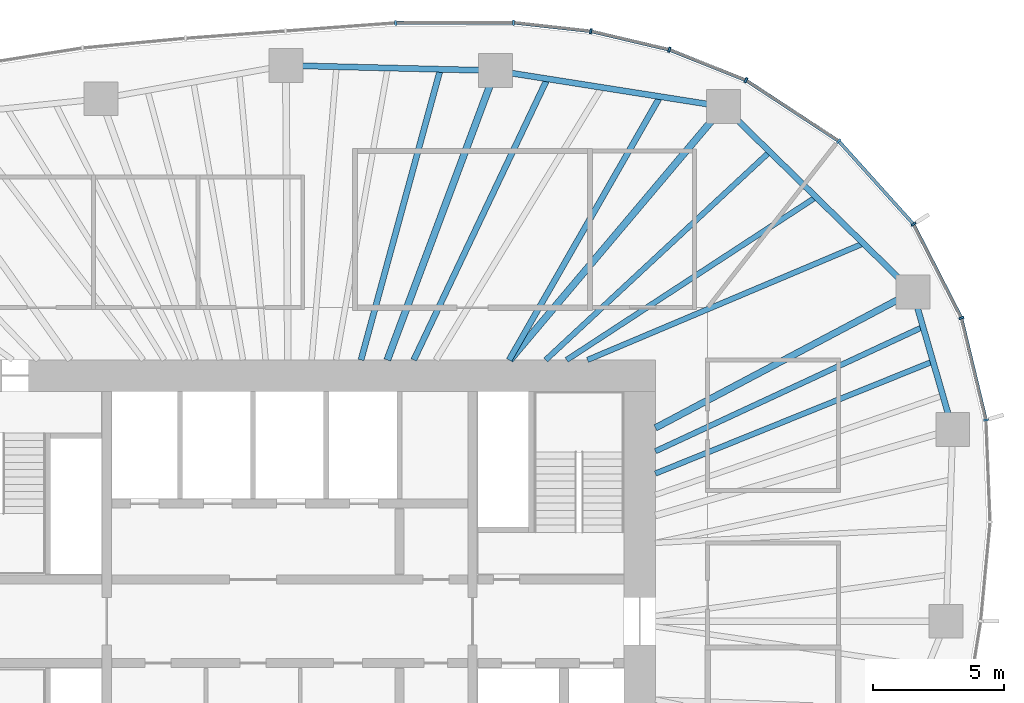
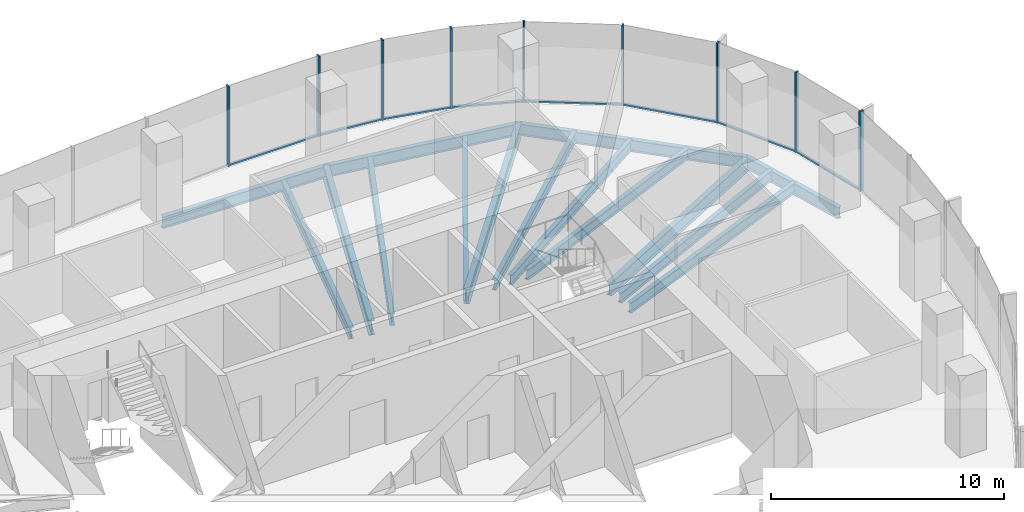
# One storey, part 6 of 12: 17 members, 15 beams, 4 elements without a shape of their own.
"""IFC4 building model written with IfcOpenShell, lengths in metres."""

from ifc_helpers import new_model, si_unit, direction, frame, origin, origin_2d, place, context, subcontext, project, spatial, rectangle, i_section, extrude, material, material_profile, profile_set, type_object, element, aggregate, save


model = new_model("IFC4")

# Units and contexts
model_context = context("Model", 3, precision=1e-05, world=origin(), true_north=direction((0.0, 1.0)))
body_context = subcontext(model_context, "Body", "Model", "MODEL_VIEW")
ifc_project = project(units=[si_unit("LENGTHUNIT", "METRE"), si_unit("AREAUNIT", "SQUARE_METRE"), si_unit("VOLUMEUNIT", "CUBIC_METRE"), si_unit("PLANEANGLEUNIT", "RADIAN"), si_unit("MASSUNIT", "GRAM", prefix="KILO")], contexts=[model_context])

# Site, building, storey
site_placement = place(None, origin())
site = spatial("IfcSite", under=ifc_project, at=site_placement, CompositionType="ELEMENT")
building_placement = place(site_placement, origin())
building = spatial("IfcBuilding", under=site, at=building_placement, Name="Ghaith Harvest Tower", CompositionType="ELEMENT")
storey_placement = place(building_placement, frame((0.0, 0.0, 199.0)))
storey = spatial("IfcBuildingStorey", under=building, at=storey_placement, Name="L43", CompositionType="ELEMENT", Elevation=199.0)

# Curtain wall, members
ifc_material_1 = material(Name="Black anodised aluminium and fritted glass", Category="aluminium")
curtain_wall_type = type_object("IfcCurtainWallType", Name="CW-H CURTAIN WALL", PredefinedType="NOTDEFINED", material=ifc_material_1)
curtain_wall_1_placement = place(storey_placement, origin())
curtain_wall_1 = element("IfcCurtainWall", 1, at=curtain_wall_1_placement, inside=storey, type_object=curtain_wall_type, Name="Curtain wall CW-H bay 02 L43", PredefinedType="NOTDEFINED")
ifc_material_2 = material(Name="Aluminium, black anodised", Category="aluminium")
ifc_material_profile_1 = material_profile(ifc_material_2, rectangle(XDim=0.080078125, YDim=0.199951171875, at=origin_2d()), Name="CW-H MULLION 80x200")
ifc_profile_set_1 = profile_set([ifc_material_profile_1], Name="Aluminium, black anodised")
member_type_1 = type_object("IfcMemberType", Name="CW-H MULLION 80x200", PredefinedType="MULLION", material=ifc_profile_set_1)
member_1_placement = place(storey_placement, frame((26.646484375, 7.701416015625, 0.0), z_axis=(0.0, 0.0, 1.0), x_axis=(-0.139146256981, 0.990271841046, 0.0)))
member_1 = element("IfcMember", 2, at=member_1_placement, type_object=member_type_1, Name="CW-H mullion 1 bay 02 L43", PredefinedType="MULLION", context=body_context, shape_type="SweptSolid", body=[
    extrude(rectangle(XDim=0.080078125, YDim=0.199951171875, at=origin_2d()), origin(), (0.0, 0.0, 1.0), 4.199951171875),
])
member_2_placement = place(storey_placement, frame((25.707275390625, 11.60546875, 0.0), z_axis=(0.0, 0.0, 1.0), x_axis=(-0.347012123561, 0.93786064322, 0.0)))
member_2 = element("IfcMember", 3, at=member_2_placement, type_object=member_type_1, Name="CW-H mullion 2 bay 02 L43", PredefinedType="MULLION", context=body_context, shape_type="SweptSolid", body=[
    extrude(rectangle(XDim=0.080078125, YDim=0.199951171875, at=origin_2d()), origin(), (0.0, 0.0, 1.0), 4.199951171875),
])

curtain_wall_2_placement = place(storey_placement, origin())
curtain_wall_2 = element("IfcCurtainWall", 4, at=curtain_wall_2_placement, inside=storey, type_object=curtain_wall_type, Name="Curtain wall CW-H bay 03 L43", PredefinedType="NOTDEFINED")
member_3_placement = place(storey_placement, frame((23.874267578125, 15.19384765625, 0.0), z_axis=(0.0, 0.0, 1.0), x_axis=(-0.569847382909, 0.821750546207, 0.0)))
member_3 = element("IfcMember", 5, at=member_3_placement, type_object=member_type_1, Name="CW-H mullion 1 bay 03 L43", PredefinedType="MULLION", context=body_context, shape_type="SweptSolid", body=[
    extrude(rectangle(XDim=0.080078125, YDim=0.199951171875, at=origin_2d()), origin(), (0.0, 0.0, 1.0), 4.199951171875),
])
member_4_placement = place(storey_placement, frame((21.013427734375, 18.374267578125, 0.0), z_axis=(0.0, 0.0, 1.0), x_axis=(-0.758541332755, 0.651624927778, 0.0)))
member_4 = element("IfcMember", 6, at=member_4_placement, type_object=member_type_1, Name="CW-H mullion 2 bay 03 L43", PredefinedType="MULLION", context=body_context, shape_type="SweptSolid", body=[
    extrude(rectangle(XDim=0.080078125, YDim=0.199951171875, at=origin_2d()), origin(), (0.0, 0.0, 1.0), 4.199951171875),
])

curtain_wall_3_placement = place(storey_placement, origin())
curtain_wall_3 = element("IfcCurtainWall", 7, at=curtain_wall_3_placement, inside=storey, type_object=curtain_wall_type, Name="Curtain wall CW-H bay 04 L43", PredefinedType="NOTDEFINED")
member_5_placement = place(storey_placement, frame((17.45947265625, 20.704345703125, 0.0), z_axis=(0.0, 0.0, 1.0), x_axis=(-0.880203412003, 0.474596621878, 0.0)))
member_5 = element("IfcMember", 8, at=member_5_placement, type_object=member_type_1, Name="CW-H mullion 1 bay 04 L43", PredefinedType="MULLION", context=body_context, shape_type="SweptSolid", body=[
    extrude(rectangle(XDim=0.080078125, YDim=0.199951171875, at=origin_2d()), origin(), (0.0, 0.0, 1.0), 4.199951171875),
])
member_6_placement = place(storey_placement, frame((14.52734375, 21.871337890625, 0.0), z_axis=(0.0, 0.0, 1.0), x_axis=(-0.953502908871, 0.30138381306, 0.0)))
member_6 = element("IfcMember", 9, at=member_6_placement, type_object=member_type_1, Name="CW-H mullion 2 bay 04 L43", PredefinedType="MULLION", context=body_context, shape_type="SweptSolid", body=[
    extrude(rectangle(XDim=0.080078125, YDim=0.199951171875, at=origin_2d()), origin(), (0.0, 0.0, 1.0), 4.199951171875),
])
member_7_placement = place(storey_placement, frame((11.527099609375, 22.579345703125, 0.0), z_axis=(0.0, 0.0, 1.0), x_axis=(-0.985193373388, 0.171446834417, 0.0)))
member_7 = element("IfcMember", 10, at=member_7_placement, type_object=member_type_1, Name="CW-H mullion 3 bay 04 L43", PredefinedType="MULLION", context=body_context, shape_type="SweptSolid", body=[
    extrude(rectangle(XDim=0.080078125, YDim=0.199951171875, at=origin_2d()), origin(), (0.0, 0.0, 1.0), 4.199951171875),
])

curtain_wall_4_placement = place(storey_placement, origin())
curtain_wall_4 = element("IfcCurtainWall", 11, at=curtain_wall_4_placement, inside=storey, type_object=curtain_wall_type, Name="Curtain wall CW-H bay 05 L43", PredefinedType="NOTDEFINED")
member_8_placement = place(storey_placement, frame((8.564208984375, 22.9091796875, 0.0), z_axis=(0.0, 0.0, 1.0), x_axis=(-0.999083519493, 0.042803283493, 0.0)))
member_8 = element("IfcMember", 12, at=member_8_placement, type_object=member_type_1, Name="CW-H mullion 1 bay 05 L43", PredefinedType="MULLION", context=body_context, shape_type="SweptSolid", body=[
    extrude(rectangle(XDim=0.080078125, YDim=0.199951171875, at=origin_2d()), origin(), (0.0, 0.0, 1.0), 4.199951171875),
])
member_9_placement = place(storey_placement, frame((4.0595703125, 22.8994140625, 0.0), z_axis=(0.0, 0.0, 1.0), x_axis=(-0.999332779724, -0.036523901335, 0.0)))
member_9 = element("IfcMember", 13, at=member_9_placement, type_object=member_type_1, Name="CW-H mullion 2 bay 05 L43", PredefinedType="MULLION", context=body_context, shape_type="SweptSolid", body=[
    extrude(rectangle(XDim=0.080078125, YDim=0.199951171875, at=origin_2d()), origin(), (0.0, 0.0, 1.0), 4.199951171875),
])

# Member
ifc_material_3 = material(Name="Aluminium, black anodised", Category="aluminium")
ifc_material_profile_2 = material_profile(ifc_material_3, rectangle(XDim=0.1298828125, YDim=0.080078125, at=origin_2d()), Name="CW-H TRANSOM 130x80")
ifc_profile_set_2 = profile_set([ifc_material_profile_2], Name="Aluminium, black anodised")
member_type_2 = type_object("IfcMemberType", Name="CW-H TRANSOM 130x80", PredefinedType="USERDEFINED", material=ifc_profile_set_2)
member_10_placement = place(storey_placement, frame((26.636962890625, 7.740234375, 0.0400390625), z_axis=(-0.233870324689, 0.972267798104, 0.0), x_axis=(-0.972267798104, -0.233870324689, 0.0)))
member_10 = element("IfcMember", 14, at=member_10_placement, type_object=member_type_2, Name="CW-H transom 1 bay 02 L43", ObjectType="TRANSOM", PredefinedType="USERDEFINED", context=body_context, shape_type="SweptSolid", body=[
    extrude(rectangle(XDim=0.1298828125, YDim=0.080078125, at=origin_2d()), origin(), (0.0, 0.0, 1.0), 3.935546875),
])

member_11_placement = place(storey_placement, frame((25.68896484375, 11.64111328125, 0.0400390625), z_axis=(-0.454911728312, 0.890536534592, 0.0), x_axis=(-0.890536534592, -0.454911728312, 0.0)))
member_11 = element("IfcMember", 15, at=member_11_placement, type_object=member_type_2, Name="CW-H transom 2 bay 02 L43", ObjectType="TRANSOM", PredefinedType="USERDEFINED", context=body_context, shape_type="SweptSolid", body=[
    extrude(rectangle(XDim=0.1298828125, YDim=0.080078125, at=origin_2d()), origin(), (0.0, 0.0, 1.0), 3.949462890625),
])

aggregate(curtain_wall_1, [member_1, member_10, member_2, member_11])

member_12_placement = place(storey_placement, frame((23.847412109375, 15.223388671875, 0.0400390625), z_axis=(-0.668752638518, 0.743484975286, 0.0), x_axis=(-0.743484975286, -0.668752638518, 0.0)))
member_12 = element("IfcMember", 16, at=member_12_placement, type_object=member_type_2, Name="CW-H transom 1 bay 03 L43", ObjectType="TRANSOM", PredefinedType="USERDEFINED", context=body_context, shape_type="SweptSolid", body=[
    extrude(rectangle(XDim=0.1298828125, YDim=0.080078125, at=origin_2d()), origin(), (0.0, 0.0, 1.0), 4.197998046875),
])

member_13_placement = place(storey_placement, frame((20.97998046875, 18.39599609375, 0.0400390625), z_axis=(-0.836268574396, 0.548320044753, 0.0), x_axis=(-0.548320044753, -0.836268574396, 0.0)))
member_13 = element("IfcMember", 17, at=member_13_placement, type_object=member_type_2, Name="CW-H transom 2 bay 03 L43", ObjectType="TRANSOM", PredefinedType="USERDEFINED", context=body_context, shape_type="SweptSolid", body=[
    extrude(rectangle(XDim=0.1298828125, YDim=0.080078125, at=origin_2d()), origin(), (0.0, 0.0, 1.0), 4.169677734375),
])

aggregate(curtain_wall_2, [member_3, member_12, member_4, member_13])

member_14_placement = place(storey_placement, frame((17.42236328125, 20.71923828125, 0.0400390625), z_axis=(-0.929115751434, 0.369789021521, 0.0), x_axis=(-0.369789021521, -0.929115751434, 0.0)))
member_14 = element("IfcMember", 18, at=member_14_placement, type_object=member_type_2, Name="CW-H transom 1 bay 04 L43", ObjectType="TRANSOM", PredefinedType="USERDEFINED", context=body_context, shape_type="SweptSolid", body=[
    extrude(rectangle(XDim=0.1298828125, YDim=0.080078125, at=origin_2d()), origin(), (0.0, 0.0, 1.0), 3.075927734375),
])

member_15_placement = place(storey_placement, frame((14.48828125, 21.880615234375, 0.0400390625), z_axis=(-0.97325803677, 0.229714592186, 0.0), x_axis=(-0.229714592186, -0.97325803677, 0.0)))
member_15 = element("IfcMember", 19, at=member_15_placement, type_object=member_type_2, Name="CW-H transom 2 bay 04 L43", ObjectType="TRANSOM", PredefinedType="USERDEFINED", context=body_context, shape_type="SweptSolid", body=[
    extrude(rectangle(XDim=0.1298828125, YDim=0.080078125, at=origin_2d()), origin(), (0.0, 0.0, 1.0), 3.00244140625),
])

member_16_placement = place(storey_placement, frame((11.4873046875, 22.583984375, 0.0400390625), z_axis=(-0.993867303252, 0.110579308762, 0.0), x_axis=(-0.110579308762, -0.993867303252, 0.0)))
member_16 = element("IfcMember", 20, at=member_16_placement, type_object=member_type_2, Name="CW-H transom 3 bay 04 L43", ObjectType="TRANSOM", PredefinedType="USERDEFINED", context=body_context, shape_type="SweptSolid", body=[
    extrude(rectangle(XDim=0.1298828125, YDim=0.080078125, at=origin_2d()), origin(), (0.0, 0.0, 1.0), 2.901123046875),
])

aggregate(curtain_wall_3, [member_5, member_14, member_6, member_15, member_7, member_16])

member_17_placement = place(storey_placement, frame((8.524169921875, 22.9091796875, 0.0400390625), z_axis=(-0.999997564275, -0.002207134722, 0.0), x_axis=(0.002207134722, -0.999997564275, 0.0)))
member_17 = element("IfcMember", 21, at=member_17_placement, type_object=member_type_2, Name="CW-H transom 1 bay 05 L43", ObjectType="TRANSOM", PredefinedType="USERDEFINED", context=body_context, shape_type="SweptSolid", body=[
    extrude(rectangle(XDim=0.1298828125, YDim=0.080078125, at=origin_2d()), origin(), (0.0, 0.0, 1.0), 4.424560546875),
])

aggregate(curtain_wall_4, [member_8, member_17, member_9])

# Beams
ifc_material_4 = material(Name="Steel ASTM A992 Grade 50", Category="steel")
ifc_material_profile_3 = material_profile(ifc_material_4, i_section(OverallWidth=0.22900390625, OverallDepth=0.612060546875, WebThickness=0.011962890625, FlangeThickness=0.01953125, at=origin_2d()), Name="W610X125")
ifc_profile_set_3 = profile_set([ifc_material_profile_3], Name="Steel ASTM A992 Grade 50")
beam_type_1 = type_object("IfcBeamType", Name="E610-125 W610X125", PredefinedType="SPANDREL", material=ifc_profile_set_3)
beam_1_placement = place(storey_placement, frame((25.3779296875, 7.3349609375, -0.47607421875), z_axis=(-0.278021352648, 0.960574894254, 0.0), x_axis=(-0.960574894254, -0.278021352648, 0.0)))
element("IfcBeam", 22, at=beam_1_placement, inside=storey, type_object=beam_type_1, Name="Edge beam E02 L43", PredefinedType="SPANDREL", context=body_context, shape_type="SweptSolid", body=[
    extrude(i_section(OverallWidth=0.22900390625, OverallDepth=0.612060546875, WebThickness=0.011962890625, FlangeThickness=0.01953125, at=origin_2d()), origin(), (0.0, 0.0, 1.0), 5.48828125),
])
beam_2_placement = place(storey_placement, frame((23.85205078125, 12.60693359375, -0.47607421875), z_axis=(-0.714761249388, 0.699368541166, 0.0), x_axis=(-0.699368541166, -0.714761249388, 0.0)))
element("IfcBeam", 23, at=beam_2_placement, inside=storey, type_object=beam_type_1, Name="Edge beam E03 L43", PredefinedType="SPANDREL", context=body_context, shape_type="SweptSolid", body=[
    extrude(i_section(OverallWidth=0.22900390625, OverallDepth=0.612060546875, WebThickness=0.011962890625, FlangeThickness=0.01953125, at=origin_2d()), origin(), (0.0, 0.0, 1.0), 10.135009765625),
])
beam_3_placement = place(storey_placement, frame((16.60791015625, 19.695068359375, -0.47607421875), z_axis=(-0.987788485872, 0.155800857439, 0.0), x_axis=(-0.155800857439, -0.987788485872, 0.0)))
element("IfcBeam", 24, at=beam_3_placement, inside=storey, type_object=beam_type_1, Name="Edge beam E04 L43", PredefinedType="SPANDREL", context=body_context, shape_type="SweptSolid", body=[
    extrude(i_section(OverallWidth=0.22900390625, OverallDepth=0.612060546875, WebThickness=0.011962890625, FlangeThickness=0.01953125, at=origin_2d()), origin(), (0.0, 0.0, 1.0), 8.837890625),
])
beam_4_placement = place(storey_placement, frame((7.8779296875, 21.072021484375, -0.47607421875), z_axis=(-0.999692679676, 0.024790042413, 0.0), x_axis=(-0.024790042413, -0.999692679676, 0.0)))
element("IfcBeam", 25, at=beam_4_placement, inside=storey, type_object=beam_type_1, Name="Edge beam E05 L43", PredefinedType="SPANDREL", context=body_context, shape_type="SweptSolid", body=[
    extrude(i_section(OverallWidth=0.22900390625, OverallDepth=0.612060546875, WebThickness=0.011962890625, FlangeThickness=0.01953125, at=origin_2d()), origin(), (0.0, 0.0, 1.0), 8.0263671875),
])
ifc_material_5 = material(Name="Steel ASTM A992 Grade 50", Category="steel")
ifc_material_profile_4 = material_profile(ifc_material_5, i_section(OverallWidth=0.256103515625, OverallDepth=0.693115234375, WebThickness=0.014404296875, FlangeThickness=0.023681640625, at=origin_2d()), Name="W690X170")
ifc_profile_set_4 = profile_set([ifc_material_profile_4], Name="Steel ASTM A992 Grade 50")
beam_type_2 = type_object("IfcBeamType", Name="G690-170 W690X170", PredefinedType="BEAM", material=ifc_profile_set_4)
beam_5_placement = place(storey_placement, frame((14.0, 7.39990234375, -0.5166015625), z_axis=(0.884112784119, 0.467273565438, 0.0), x_axis=(-0.467273565438, 0.884112784119, 0.0)))
element("IfcBeam", 26, at=beam_5_placement, inside=storey, type_object=beam_type_2, Name="Radial girder G03 L43", PredefinedType="BEAM", context=body_context, shape_type="SweptSolid", body=[
    extrude(i_section(OverallWidth=0.256103515625, OverallDepth=0.693115234375, WebThickness=0.014404296875, FlangeThickness=0.023681640625, at=origin_2d()), origin(), (0.0, 0.0, 1.0), 11.143310546875),
])
ifc_material_6 = material(Name="Steel ASTM A992 Grade 50", Category="steel")
ifc_material_profile_5 = material_profile(ifc_material_6, i_section(OverallWidth=0.26806640625, OverallDepth=0.77001953125, WebThickness=0.015625, FlangeThickness=0.025390625, at=origin_2d()), Name="W760X196")
ifc_profile_set_5 = profile_set([ifc_material_profile_5], Name="Steel ASTM A992 Grade 50")
beam_type_3 = type_object("IfcBeamType", Name="G760-196 W760X196", PredefinedType="BEAM", material=ifc_profile_set_5)
beam_6_placement = place(storey_placement, frame((8.4326171875, 10.0, -0.554931640625), z_axis=(0.644644245772, 0.764482698557, 0.0), x_axis=(-0.764482698557, 0.644644245772, 0.0)))
element("IfcBeam", 27, at=beam_6_placement, inside=storey, type_object=beam_type_3, Name="Radial girder G04 L43", PredefinedType="BEAM", context=body_context, shape_type="SweptSolid", body=[
    extrude(i_section(OverallWidth=0.26806640625, OverallDepth=0.77001953125, WebThickness=0.015625, FlangeThickness=0.025390625, at=origin_2d()), origin(), (0.0, 0.0, 1.0), 12.681884765625),
])
beam_7_placement = place(storey_placement, frame((3.73828125, 10.0, -0.554931640625), z_axis=(0.350206582147, 0.936672488024, 0.0), x_axis=(-0.936672488024, 0.350206582147, 0.0)))
element("IfcBeam", 28, at=beam_7_placement, inside=storey, type_object=beam_type_3, Name="Radial girder G05 L43", PredefinedType="BEAM", context=body_context, shape_type="SweptSolid", body=[
    extrude(i_section(OverallWidth=0.26806640625, OverallDepth=0.77001953125, WebThickness=0.015625, FlangeThickness=0.025390625, at=origin_2d()), origin(), (0.0, 0.0, 1.0), 11.820556640625),
])
ifc_material_7 = material(Name="Steel ASTM A992 Grade 50", Category="steel")
ifc_material_profile_6 = material_profile(ifc_material_7, i_section(OverallWidth=0.2109375, OverallDepth=0.5390625, WebThickness=0.01171875, FlangeThickness=0.018798828125, at=origin_2d()), Name="W530X109")
ifc_profile_set_6 = profile_set([ifc_material_profile_6], Name="Steel ASTM A992 Grade 50")
beam_type_4 = type_object("IfcBeamType", Name="J530-109 W530X109", PredefinedType="JOIST", material=ifc_profile_set_6)
beam_8_placement = place(storey_placement, frame((14.0, 5.653564453125, -0.439453125), z_axis=(0.927250374508, 0.37444190868, 0.0), x_axis=(-0.37444190868, 0.927250374508, 0.0)))
element("IfcBeam", 29, at=beam_8_placement, inside=storey, type_object=beam_type_4, Name="Joist J02.2 L43", PredefinedType="JOIST", context=body_context, shape_type="SweptSolid", body=[
    extrude(i_section(OverallWidth=0.2109375, OverallDepth=0.5390625, WebThickness=0.01171875, FlangeThickness=0.018798828125, at=origin_2d()), origin(), (0.0, 0.0, 1.0), 11.45654296875),
])
beam_9_placement = place(storey_placement, frame((14.0, 6.506103515625, -0.439453125), z_axis=(0.906864105655, 0.421423176718, 0.0), x_axis=(-0.421423176718, 0.906864105655, 0.0)))
element("IfcBeam", 30, at=beam_9_placement, inside=storey, type_object=beam_type_4, Name="Joist J02.3 L43", PredefinedType="JOIST", context=body_context, shape_type="SweptSolid", body=[
    extrude(i_section(OverallWidth=0.2109375, OverallDepth=0.5390625, WebThickness=0.01171875, FlangeThickness=0.018798828125, at=origin_2d()), origin(), (0.0, 0.0, 1.0), 11.292236328125),
])
beam_10_placement = place(storey_placement, frame((11.39990234375, 10.0, -0.439453125), z_axis=(0.92127415213, 0.388913790727, 0.0), x_axis=(-0.388913790727, 0.92127415213, 0.0)))
element("IfcBeam", 31, at=beam_10_placement, inside=storey, type_object=beam_type_4, Name="Joist J03.1 L43", PredefinedType="JOIST", context=body_context, shape_type="SweptSolid", body=[
    extrude(i_section(OverallWidth=0.2109375, OverallDepth=0.5390625, WebThickness=0.01171875, FlangeThickness=0.018798828125, at=origin_2d()), origin(), (0.0, 0.0, 1.0), 11.462646484375),
])
beam_11_placement = place(storey_placement, frame((10.60009765625, 10.0, -0.439453125), z_axis=(0.837329320942, 0.546698827775, 0.0), x_axis=(-0.546698827775, 0.837329320942, 0.0)))
element("IfcBeam", 32, at=beam_11_placement, inside=storey, type_object=beam_type_4, Name="Joist J03.2 L43", PredefinedType="JOIST", context=body_context, shape_type="SweptSolid", body=[
    extrude(i_section(OverallWidth=0.2109375, OverallDepth=0.5390625, WebThickness=0.01171875, FlangeThickness=0.018798828125, at=origin_2d()), origin(), (0.0, 0.0, 1.0), 11.40087890625),
])
beam_12_placement = place(storey_placement, frame((9.800048828125, 10.0, -0.439453125), z_axis=(0.732519288302, 0.680746275984, 0.0), x_axis=(-0.680746275984, 0.732519288302, 0.0)))
element("IfcBeam", 33, at=beam_12_placement, inside=storey, type_object=beam_type_4, Name="Joist J03.3 L43", PredefinedType="JOIST", context=body_context, shape_type="SweptSolid", body=[
    extrude(i_section(OverallWidth=0.2109375, OverallDepth=0.5390625, WebThickness=0.01171875, FlangeThickness=0.018798828125, at=origin_2d()), origin(), (0.0, 0.0, 1.0), 11.7041015625),
])
ifc_material_8 = material(Name="Steel ASTM A992 Grade 50", Category="steel")
ifc_material_profile_7 = material_profile(ifc_material_8, i_section(OverallWidth=0.22900390625, OverallDepth=0.612060546875, WebThickness=0.011962890625, FlangeThickness=0.01953125, at=origin_2d()), Name="W610X125")
ifc_profile_set_7 = profile_set([ifc_material_profile_7], Name="Steel ASTM A992 Grade 50")
beam_type_5 = type_object("IfcBeamType", Name="J610-125 W610X125", PredefinedType="JOIST", material=ifc_profile_set_7)
beam_13_placement = place(storey_placement, frame((8.39990234375, 10.0, -0.47607421875), z_axis=(0.497444212127, 0.867495968764, 0.0), x_axis=(-0.867495968764, 0.497444212127, 0.0)))
element("IfcBeam", 34, at=beam_13_placement, inside=storey, type_object=beam_type_5, Name="Joist J04.1 L43", PredefinedType="JOIST", context=body_context, shape_type="SweptSolid", body=[
    extrude(i_section(OverallWidth=0.22900390625, OverallDepth=0.612060546875, WebThickness=0.011962890625, FlangeThickness=0.01953125, at=origin_2d()), origin(), (0.0, 0.0, 1.0), 11.617431640625),
])
beam_14_placement = place(storey_placement, frame((4.75, 10.0, -0.47607421875), z_axis=(0.429069356877, 0.903271546651, 0.0), x_axis=(-0.903271546651, 0.429069356877, 0.0)))
element("IfcBeam", 35, at=beam_14_placement, inside=storey, type_object=beam_type_5, Name="Joist J04.3 L43", PredefinedType="JOIST", context=body_context, shape_type="SweptSolid", body=[
    extrude(i_section(OverallWidth=0.22900390625, OverallDepth=0.612060546875, WebThickness=0.011962890625, FlangeThickness=0.01953125, at=origin_2d()), origin(), (0.0, 0.0, 1.0), 11.911376953125),
])
beam_15_placement = place(storey_placement, frame((2.73095703125, 10.0, -0.47607421875), z_axis=(0.263455967932, 0.964671422279, 0.0), x_axis=(-0.964671422279, 0.263455967932, 0.0)))
element("IfcBeam", 36, at=beam_15_placement, inside=storey, type_object=beam_type_5, Name="Joist J05.1 L43", PredefinedType="JOIST", context=body_context, shape_type="SweptSolid", body=[
    extrude(i_section(OverallWidth=0.22900390625, OverallDepth=0.612060546875, WebThickness=0.011962890625, FlangeThickness=0.01953125, at=origin_2d()), origin(), (0.0, 0.0, 1.0), 11.53173828125),
])

save(model, "model.ifc")
